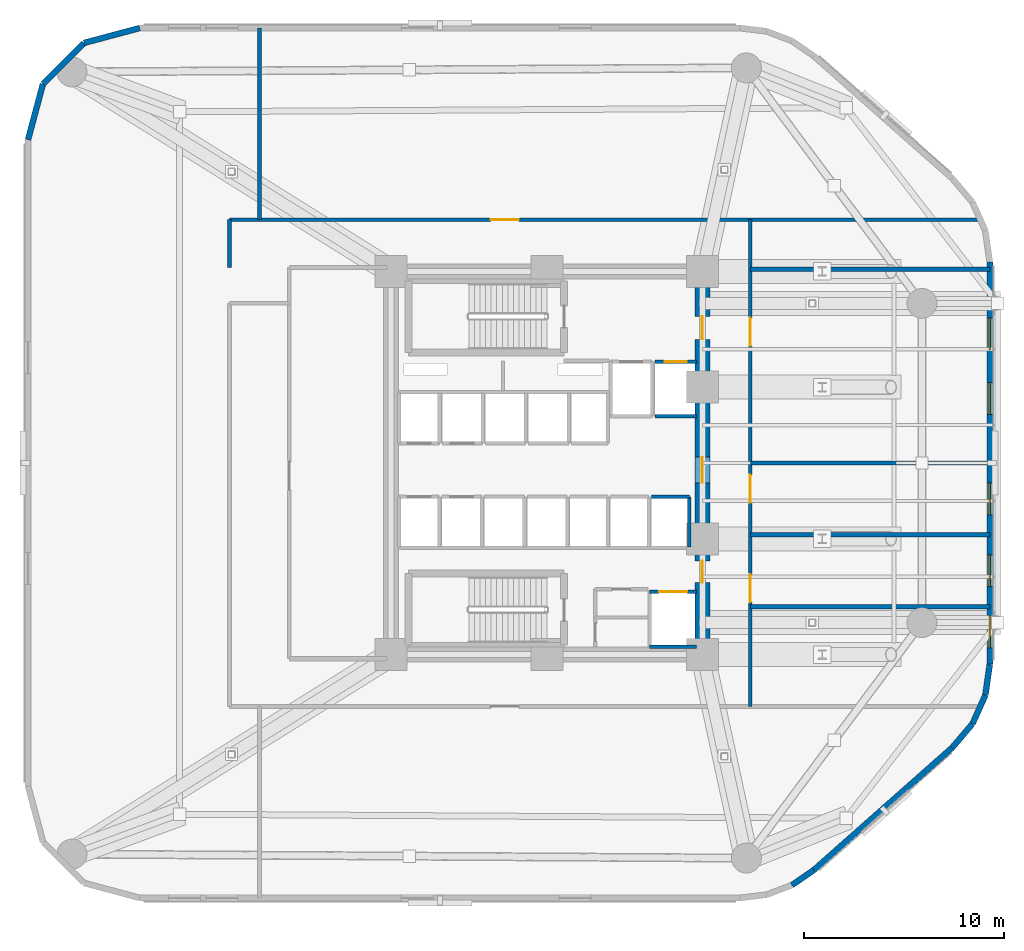
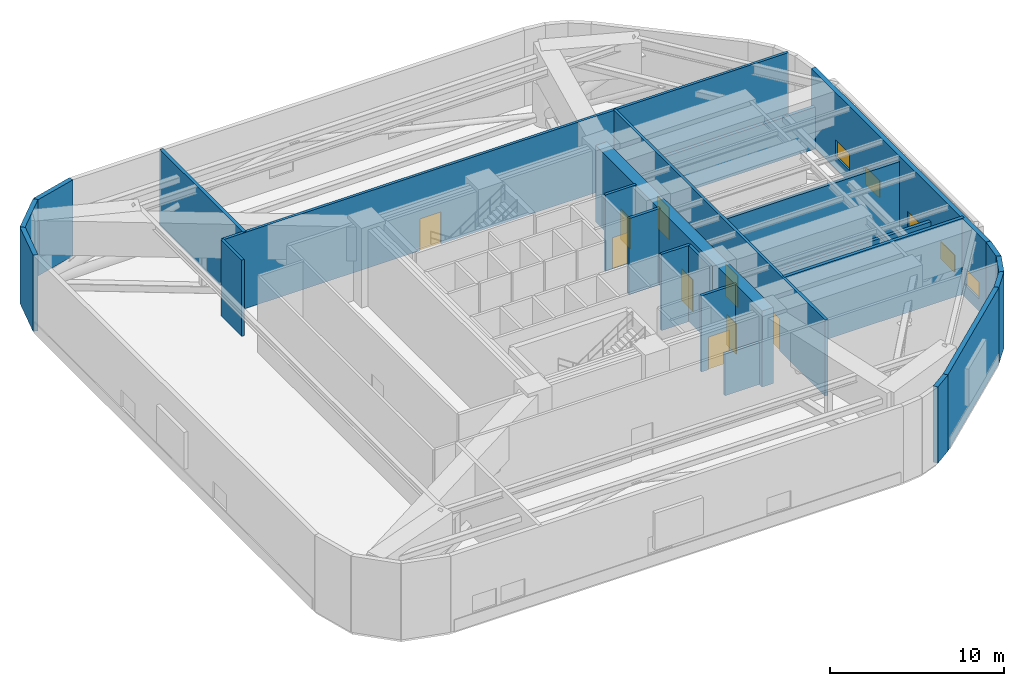
# One storey, part 8 of 11: 24 walls, 9 doors, 5 windows, 14 openings.
"""IFC4 building model written with IfcOpenShell, lengths in metres."""

from ifc_helpers import new_model, si_unit, direction, frame, frame_2d, origin, place, context, subcontext, project, spatial, rectangle, extrude, material, layer, layer_set, type_object, element, fill, save


model = new_model("IFC4")

# Units and contexts
model_context = context("Model", 3, precision=1e-05, world=origin(), true_north=direction((0.0, 1.0)))
body_context = subcontext(model_context, "Body", "Model", "MODEL_VIEW")
ifc_project = project(units=[si_unit("LENGTHUNIT", "METRE"), si_unit("AREAUNIT", "SQUARE_METRE"), si_unit("VOLUMEUNIT", "CUBIC_METRE"), si_unit("PLANEANGLEUNIT", "RADIAN"), si_unit("MASSUNIT", "GRAM", prefix="KILO")], contexts=[model_context])

# Site, building, storey
site_placement = place(None, origin())
site = spatial("IfcSite", under=ifc_project, at=site_placement, CompositionType="ELEMENT")
building_placement = place(site_placement, origin())
building = spatial("IfcBuilding", under=site, at=building_placement, Name="An Khanh Terracotta Commons", CompositionType="ELEMENT")
storey_placement = place(building_placement, frame((0.0, 0.0, 75.60009765625)))
storey = spatial("IfcBuildingStorey", under=building, at=storey_placement, Name="L20", CompositionType="ELEMENT", Elevation=75.60009765625)

# Wall, openings, doors
ifc_material_1 = material(Name="Concrete C70/85", Category="concrete")
ifc_layer_1 = layer(ifc_material_1, 0.75, Name="Concrete C70/85")
ifc_layer_set_1 = layer_set([ifc_layer_1], Name="Concrete C70/85")
wall_type_1 = type_object("IfcWallType", Name="WALL-CORE-750", PredefinedType="SHEAR", material=ifc_layer_set_1)
wall_1_placement = place(storey_placement, frame((37.199951171875, 14.39990234375, 0.0), z_axis=(0.0, 0.0, 1.0), x_axis=(0.0, 1.0, 0.0)))
wall_1 = element("IfcWall", 1, at=wall_1_placement, inside=storey, type_object=wall_type_1, Name="L20 Core Wall CWALL-L20-E", PredefinedType="SHEAR", context=body_context, shape_type="SweptSolid", body=[
    extrude(rectangle(XDim=19.2001953125, YDim=0.75, at=frame_2d((9.60009765625, 0.0))), origin(), (0.0, 0.0, 1.0), 5.35986328125),
])
opening_1_placement = place(wall_1_placement, frame((15.800048828125, 0.0, 0.0)))
opening_1 = element("IfcOpeningElement", 2, at=opening_1_placement, cuts=wall_1, Name="Opening D-FFL", PredefinedType="OPENING", context=body_context, shape_type="SweptSolid", body=[
    extrude(rectangle(XDim=1.14990234375, YDim=2.14990234375, at=frame_2d((0.574951171875, 1.074951171875))), frame((0.0, 0.385009765625, 0.0), z_axis=(0.0, -1.0, 0.0), x_axis=(1.0, 0.0, 0.0)), (0.0, 0.0, 1.0), 0.77001953125),
])
opening_2_placement = place(wall_1_placement, frame((3.60009765625, 0.0, 0.0)))
opening_2 = element("IfcOpeningElement", 3, at=opening_2_placement, cuts=wall_1, Name="Opening D-ST", PredefinedType="OPENING", context=body_context, shape_type="SweptSolid", body=[
    extrude(rectangle(XDim=1.10009765625, YDim=2.14990234375, at=frame_2d((0.550048828125, 1.074951171875))), frame((0.0, 0.385009765625, 0.0), z_axis=(0.0, -1.0, 0.0), x_axis=(1.0, 0.0, 0.0)), (0.0, 0.0, 1.0), 0.77001953125),
])
opening_3_placement = place(wall_1_placement, frame((8.60009765625, 0.0, 0.0)))
opening_3 = element("IfcOpeningElement", 4, at=opening_3_placement, cuts=wall_1, Name="Opening D-COR", PredefinedType="OPENING", context=body_context, shape_type="SweptSolid", body=[
    extrude(rectangle(XDim=1.300048828125, YDim=2.199951171875, at=frame_2d((0.64990234375, 1.10009765625))), frame((0.0, 0.385009765625, 0.0), z_axis=(0.0, -1.0, 0.0), x_axis=(1.0, 0.0, 0.0)), (0.0, 0.0, 1.0), 0.77001953125),
])
ifc_material_2 = material(Name="Fire-Rated Glazed Steel Double Door", Category="steel")
door_type_1 = type_object("IfcDoorType", Name="DOOR-CORR-1300", OperationType="NOTDEFINED", PredefinedType="DOOR", material=ifc_material_2)
door_1_placement = place(opening_3_placement, origin())
door_1 = element("IfcDoor", 5, at=door_1_placement, inside=storey, type_object=door_type_1, Name="L20 Passenger Lift Lobby Double Door", OperationType="DOUBLE_DOOR_SINGLE_SWING", OverallHeight=2.199951171875, OverallWidth=1.300048828125, PredefinedType="DOOR", context=body_context, shape_type="SweptSolid", body=[
    extrude(rectangle(XDim=1.300048828125, YDim=2.199951171875, at=frame_2d((0.64990234375, 1.10009765625))), frame((0.0, 0.02490234375, 0.0), z_axis=(0.0, -1.0, 0.0), x_axis=(1.0, 0.0, 0.0)), (0.0, 0.0, 1.0), 0.050048828125),
])
fill(opening_3, door_1)
ifc_material_3 = material(Name="Fire-Rated Steel Leaf and Vision Panel", Category="steel")
door_type_2 = type_object("IfcDoorType", Name="DOOR-FFL-1150", OperationType="NOTDEFINED", PredefinedType="DOOR", material=ifc_material_3)
door_2_placement = place(opening_1_placement, origin())
door_2 = element("IfcDoor", 6, at=door_2_placement, inside=storey, type_object=door_type_2, Name="L20 Firefighting Lift Lobby Fire Door", OperationType="SINGLE_SWING_LEFT", OverallHeight=2.14990234375, OverallWidth=1.14990234375, PredefinedType="DOOR", context=body_context, shape_type="SweptSolid", body=[
    extrude(rectangle(XDim=1.14990234375, YDim=2.14990234375, at=frame_2d((0.574951171875, 1.074951171875))), frame((0.0, 0.02490234375, 0.0), z_axis=(0.0, -1.0, 0.0), x_axis=(1.0, 0.0, 0.0)), (0.0, 0.0, 1.0), 0.050048828125),
])
fill(opening_1, door_2)
ifc_material_4 = material(Name="Fire-Rated Steel Leaf and Frame", Category="steel")
door_type_3 = type_object("IfcDoorType", Name="DOOR-STAIR-1100", OperationType="NOTDEFINED", PredefinedType="DOOR", material=ifc_material_4)
door_3_placement = place(opening_2_placement, origin())
door_3 = element("IfcDoor", 7, at=door_3_placement, inside=storey, type_object=door_type_3, Name="L20 South Stair Lobby Fire Door", OperationType="SINGLE_SWING_RIGHT", OverallHeight=2.14990234375, OverallWidth=1.10009765625, PredefinedType="DOOR", context=body_context, shape_type="SweptSolid", body=[
    extrude(rectangle(XDim=1.10009765625, YDim=2.14990234375, at=frame_2d((0.550048828125, 1.074951171875))), frame((0.0, 0.02490234375, 0.0), z_axis=(0.0, -1.0, 0.0), x_axis=(1.0, 0.0, 0.0)), (0.0, 0.0, 1.0), 0.050048828125),
])
fill(opening_2, door_3)

# Wall, opening, door
ifc_material_5 = material(Name="Fire-Rated Gypsum Board on Steel Stud", Category="steel")
ifc_layer_2 = layer(ifc_material_5, 0.179931640625, Name="Fire-Rated Gypsum Board on Steel Stud")
ifc_layer_set_2 = layer_set([ifc_layer_2], Name="Fire-Rated Gypsum Board on Steel Stud")
wall_type_2 = type_object("IfcWallType", Name="WALL-CORR-180", PredefinedType="PARTITIONING", material=ifc_layer_set_2)
wall_2_placement = place(storey_placement, frame((34.820068359375, 29.080078125, 0.0), z_axis=(0.0, 0.0, 1.0), x_axis=(1.0, 0.0, 0.0)))
wall_2 = element("IfcWall", 8, at=wall_2_placement, inside=storey, type_object=wall_type_2, Name="L20 Core Wall LSH-L20-FFL-02-N", PredefinedType="PARTITIONING", context=body_context, shape_type="SweptSolid", body=[
    extrude(rectangle(XDim=2.079833984375, YDim=0.179931640625, at=frame_2d((1.0400390625, 0.0))), origin(), (0.0, 0.0, 1.0), 5.35986328125),
])
opening_4_placement = place(wall_2_placement, frame((0.489990234375, 0.0, 0.0)))
opening_4 = element("IfcOpeningElement", 9, at=opening_4_placement, cuts=wall_2, Name="Opening LD-FFL-02-L20", PredefinedType="OPENING", context=body_context, shape_type="SweptSolid", body=[
    extrude(rectangle(XDim=1.10009765625, YDim=2.199951171875, at=frame_2d((0.550048828125, 1.10009765625))), frame((0.0, 0.099853515625, 0.0), z_axis=(0.0, -1.0, 0.0), x_axis=(1.0, 0.0, 0.0)), (0.0, 0.0, 1.0), 0.199951171875),
])
ifc_material_6 = material(Name="Brushed Stainless Steel Fire Landing Door", Category="steel")
door_type_4 = type_object("IfcDoorType", Name="DOOR-LD-FFL-1100", OperationType="NOTDEFINED", PredefinedType="DOOR", material=ifc_material_6)
door_4_placement = place(opening_4_placement, origin())
door_4 = element("IfcDoor", 10, at=door_4_placement, inside=storey, type_object=door_type_4, Name="L20 Lift FFL-02 Sliding Landing Door", OperationType="DOUBLE_DOOR_SLIDING", OverallHeight=2.199951171875, OverallWidth=1.10009765625, PredefinedType="DOOR", context=body_context, shape_type="SweptSolid", body=[
    extrude(rectangle(XDim=1.10009765625, YDim=2.199951171875, at=frame_2d((0.550048828125, 1.10009765625))), frame((0.0, 0.02490234375, 0.0), z_axis=(0.0, -1.0, 0.0), x_axis=(1.0, 0.0, 0.0)), (0.0, 0.0, 1.0), 0.050048828125),
])
fill(opening_4, door_4)

# Wall
wall_3_placement = place(storey_placement, frame((36.89990234375, 26.35009765625, 0.0), z_axis=(0.0, 0.0, 1.0), x_axis=(-1.0, 0.0, 0.0)))
element("IfcWall", 11, at=wall_3_placement, inside=storey, type_object=wall_type_2, Name="L20 Core Wall LSH-L20-FFL-02-S", PredefinedType="PARTITIONING", context=body_context, shape_type="SweptSolid", body=[
    extrude(rectangle(XDim=2.079833984375, YDim=0.179931640625, at=frame_2d((1.0400390625, 0.0))), origin(), (0.0, 0.0, 1.0), 5.35986328125),
])

# Wall, opening, door
wall_4_placement = place(storey_placement, frame((34.550048828125, 17.550048828125, 0.0), z_axis=(0.0, 0.0, 1.0), x_axis=(1.0, 0.0, 0.0)))
wall_4 = element("IfcWall", 12, at=wall_4_placement, inside=storey, type_object=wall_type_2, Name="L20 Core Wall LSH-L20-SVL-01-N", PredefinedType="PARTITIONING", context=body_context, shape_type="SweptSolid", body=[
    extrude(rectangle(XDim=2.349853515625, YDim=0.179931640625, at=frame_2d((1.1748046875, 0.0))), origin(), (0.0, 0.0, 1.0), 5.35986328125),
])
opening_5_placement = place(wall_4_placement, frame((0.47509765625, 0.0, 0.0)))
opening_5 = element("IfcOpeningElement", 13, at=opening_5_placement, cuts=wall_4, Name="Opening LD-SVL-01-L20", PredefinedType="OPENING", context=body_context, shape_type="SweptSolid", body=[
    extrude(rectangle(XDim=1.39990234375, YDim=2.300048828125, at=frame_2d((0.699951171875, 1.14990234375))), frame((0.0, 0.099853515625, 0.0), z_axis=(0.0, -1.0, 0.0), x_axis=(1.0, 0.0, 0.0)), (0.0, 0.0, 1.0), 0.199951171875),
])
ifc_material_7 = material(Name="Heavy-Duty Stainless Steel Goods Landing Door", Category="steel")
door_type_5 = type_object("IfcDoorType", Name="DOOR-LD-SVL-1400", OperationType="NOTDEFINED", PredefinedType="DOOR", material=ifc_material_7)
door_5_placement = place(opening_5_placement, origin())
door_5 = element("IfcDoor", 14, at=door_5_placement, inside=storey, type_object=door_type_5, Name="L20 Lift SVL-01 Sliding Landing Door", OperationType="DOUBLE_DOOR_SLIDING", OverallHeight=2.300048828125, OverallWidth=1.39990234375, PredefinedType="DOOR", context=body_context, shape_type="SweptSolid", body=[
    extrude(rectangle(XDim=1.39990234375, YDim=2.300048828125, at=frame_2d((0.699951171875, 1.14990234375))), frame((0.0, 0.02490234375, 0.0), z_axis=(0.0, -1.0, 0.0), x_axis=(1.0, 0.0, 0.0)), (0.0, 0.0, 1.0), 0.050048828125),
])
fill(opening_5, door_5)

# Walls
wall_5_placement = place(storey_placement, frame((36.89990234375, 14.800048828125, 0.0), z_axis=(0.0, 0.0, 1.0), x_axis=(-1.0, 0.0, 0.0)))
element("IfcWall", 15, at=wall_5_placement, inside=storey, type_object=wall_type_2, Name="L20 Core Wall LSH-L20-SVL-01-S", PredefinedType="PARTITIONING", context=body_context, shape_type="SweptSolid", body=[
    extrude(rectangle(XDim=2.349853515625, YDim=0.179931640625, at=frame_2d((1.1748046875, 0.0))), origin(), (0.0, 0.0, 1.0), 2.94189453125),
])
wall_6_placement = place(storey_placement, frame((34.639892578125, 22.300048828125, 0.0), z_axis=(0.0, 0.0, 1.0), x_axis=(1.0, 0.0, 0.0)))
element("IfcWall", 16, at=wall_6_placement, inside=storey, type_object=wall_type_2, Name="L20 Core Wall LSH-L20-PL-H4-N", PredefinedType="PARTITIONING", context=body_context, shape_type="SweptSolid", body=[
    extrude(rectangle(XDim=1.900146484375, YDim=0.179931640625, at=frame_2d((0.9501953125, 0.0))), origin(), (0.0, 0.0, 1.0), 5.35986328125),
])
wall_7_placement = place(storey_placement, frame((36.5400390625, 19.800048828125, 0.0), z_axis=(0.0, 0.0, 1.0), x_axis=(0.0, 1.0, 0.0)))
element("IfcWall", 17, at=wall_7_placement, inside=storey, type_object=wall_type_2, Name="L20 Core Wall LSH-L20-PL-H4-E", PredefinedType="PARTITIONING", context=body_context, shape_type="SweptSolid", body=[
    extrude(rectangle(XDim=2.5, YDim=0.179931640625, at=frame_2d((1.25, 0.0))), origin(), (0.0, 0.0, 1.0), 5.35986328125),
])

# Wall, opening, door
wall_8_placement = place(storey_placement, frame((13.5, 36.199951171875, 0.0), z_axis=(0.0, 0.0, 1.0), x_axis=(1.0, 0.0, 0.0)))
wall_8 = element("IfcWall", 18, at=wall_8_placement, inside=storey, type_object=wall_type_2, Name="L20 Interior Partition IW-L20-E009", PredefinedType="PARTITIONING", context=body_context, shape_type="SweptSolid", body=[
    extrude(rectangle(XDim=37.625, YDim=0.179931640625, at=frame_2d((18.8125, 0.0))), origin(), (0.0, 0.0, 1.0), 5.35986328125),
])
opening_6_placement = place(wall_8_placement, frame((13.10009765625, 0.0, 0.0)))
opening_6 = element("IfcOpeningElement", 19, at=opening_6_placement, cuts=wall_8, Name="Opening D-PL", PredefinedType="OPENING", context=body_context, shape_type="SweptSolid", body=[
    extrude(rectangle(XDim=1.39990234375, YDim=2.25, at=frame_2d((0.699951171875, 1.125))), frame((0.0, 0.099853515625, 0.0), z_axis=(0.0, -1.0, 0.0), x_axis=(1.0, 0.0, 0.0)), (0.0, 0.0, 1.0), 0.199951171875),
])
ifc_material_8 = material(Name="Heavy-Duty Acoustic Steel Double Plant Door", Category="steel")
door_type_6 = type_object("IfcDoorType", Name="DOOR-PLANT-1400", OperationType="NOTDEFINED", PredefinedType="DOOR", material=ifc_material_8)
door_6_placement = place(opening_6_placement, origin())
door_6 = element("IfcDoor", 20, at=door_6_placement, inside=storey, type_object=door_type_6, Name="L20 REFN North Pressurised Refuge Area Door", OperationType="DOUBLE_DOOR_SINGLE_SWING", OverallHeight=2.25, OverallWidth=1.39990234375, PredefinedType="DOOR", context=body_context, shape_type="SweptSolid", body=[
    extrude(rectangle(XDim=1.39990234375, YDim=2.25, at=frame_2d((0.699951171875, 1.125))), frame((0.0, 0.02490234375, 0.0), z_axis=(0.0, -1.0, 0.0), x_axis=(1.0, 0.0, 0.0)), (0.0, 0.0, 1.0), 0.050048828125),
])
fill(opening_6, door_6)

# Wall
wall_9_placement = place(storey_placement, frame((13.5, 33.800048828125, 0.0), z_axis=(0.0, 0.0, 1.0), x_axis=(0.0, 1.0, 0.0)))
element("IfcWall", 21, at=wall_9_placement, inside=storey, type_object=wall_type_2, Name="L20 Interior Partition IW-L20-E011", PredefinedType="PARTITIONING", context=body_context, shape_type="SweptSolid", body=[
    extrude(rectangle(XDim=2.39990234375, YDim=0.179931640625, at=frame_2d((1.199951171875, 0.0))), origin(), (0.0, 0.0, 1.0), 5.35986328125),
])

# Wall, openings, doors
wall_10_placement = place(storey_placement, frame((39.60009765625, 11.800048828125, 0.0), z_axis=(0.0, 0.0, 1.0), x_axis=(0.0, 1.0, 0.0)))
wall_10 = element("IfcWall", 22, at=wall_10_placement, inside=storey, type_object=wall_type_2, Name="L20 Interior Partition IW-L20-E015", PredefinedType="PARTITIONING", context=body_context, shape_type="SweptSolid", body=[
    extrude(rectangle(XDim=24.39990234375, YDim=0.179931640625, at=frame_2d((12.199951171875, 0.0))), origin(), (0.0, 0.0, 1.0), 5.35986328125),
])
opening_7_placement = place(wall_10_placement, frame((18.070068359375, 0.0, 0.0)))
opening_7 = element("IfcOpeningElement", 23, at=opening_7_placement, cuts=wall_10, Name="Opening D-PL", PredefinedType="OPENING", context=body_context, shape_type="SweptSolid", body=[
    extrude(rectangle(XDim=1.39990234375, YDim=2.25, at=frame_2d((0.699951171875, 1.125))), frame((0.0, 0.099853515625, 0.0), z_axis=(0.0, -1.0, 0.0), x_axis=(1.0, 0.0, 0.0)), (0.0, 0.0, 1.0), 0.199951171875),
])
opening_8_placement = place(wall_10_placement, frame((5.22509765625, 0.0, 0.0)))
opening_8 = element("IfcOpeningElement", 24, at=opening_8_placement, cuts=wall_10, Name="Opening D-PL", PredefinedType="OPENING", context=body_context, shape_type="SweptSolid", body=[
    extrude(rectangle(XDim=1.39990234375, YDim=2.25, at=frame_2d((0.699951171875, 1.125))), frame((0.0, 0.099853515625, 0.0), z_axis=(0.0, -1.0, 0.0), x_axis=(1.0, 0.0, 0.0)), (0.0, 0.0, 1.0), 0.199951171875),
])
opening_9_placement = place(wall_10_placement, frame((10.199951171875, 0.0, 0.0)))
opening_9 = element("IfcOpeningElement", 25, at=opening_9_placement, cuts=wall_10, Name="Opening D-PL", PredefinedType="OPENING", context=body_context, shape_type="SweptSolid", body=[
    extrude(rectangle(XDim=1.39990234375, YDim=2.25, at=frame_2d((0.699951171875, 1.125))), frame((0.0, 0.099853515625, 0.0), z_axis=(0.0, -1.0, 0.0), x_axis=(1.0, 0.0, 0.0)), (0.0, 0.0, 1.0), 0.199951171875),
])
door_7_placement = place(opening_7_placement, origin())
door_7 = element("IfcDoor", 26, at=door_7_placement, inside=storey, type_object=door_type_6, Name="L20 AHU Supply Ventilation AHU Plant Room Door", OperationType="DOUBLE_DOOR_SINGLE_SWING", OverallHeight=2.25, OverallWidth=1.39990234375, PredefinedType="DOOR", context=body_context, shape_type="SweptSolid", body=[
    extrude(rectangle(XDim=1.39990234375, YDim=2.25, at=frame_2d((0.699951171875, 1.125))), frame((0.0, 0.02490234375, 0.0), z_axis=(0.0, -1.0, 0.0), x_axis=(1.0, 0.0, 0.0)), (0.0, 0.0, 1.0), 0.050048828125),
])
fill(opening_7, door_7)
door_8_placement = place(opening_8_placement, origin())
door_8 = element("IfcDoor", 27, at=door_8_placement, inside=storey, type_object=door_type_6, Name="L20 CHX Chilled-Water Chiller and Pump Plant Room Door", OperationType="DOUBLE_DOOR_SINGLE_SWING", OverallHeight=2.25, OverallWidth=1.39990234375, PredefinedType="DOOR", context=body_context, shape_type="SweptSolid", body=[
    extrude(rectangle(XDim=1.39990234375, YDim=2.25, at=frame_2d((0.699951171875, 1.125))), frame((0.0, 0.02490234375, 0.0), z_axis=(0.0, -1.0, 0.0), x_axis=(1.0, 0.0, 0.0)), (0.0, 0.0, 1.0), 0.050048828125),
])
fill(opening_8, door_8)
door_9_placement = place(opening_9_placement, origin())
door_9 = element("IfcDoor", 28, at=door_9_placement, inside=storey, type_object=door_type_6, Name="L20 ELP Zone Electrical Switchroom Door", OperationType="DOUBLE_DOOR_SINGLE_SWING", OverallHeight=2.25, OverallWidth=1.39990234375, PredefinedType="DOOR", context=body_context, shape_type="SweptSolid", body=[
    extrude(rectangle(XDim=1.39990234375, YDim=2.25, at=frame_2d((0.699951171875, 1.125))), frame((0.0, 0.02490234375, 0.0), z_axis=(0.0, -1.0, 0.0), x_axis=(1.0, 0.0, 0.0)), (0.0, 0.0, 1.0), 0.050048828125),
])
fill(opening_9, door_9)

# Walls
ifc_material_9 = material(Name="Precast concrete C40/50", Category="concrete")
ifc_layer_3 = layer(ifc_material_9, 0.300048828125, Name="Precast concrete C40/50")
ifc_layer_set_3 = layer_set([ifc_layer_3], Name="Precast concrete C40/50")
wall_type_3 = type_object("IfcWallType", Name="WALL-EXT-300", PredefinedType="SOLIDWALL", material=ifc_layer_set_3)
wall_11_placement = place(storey_placement, frame((41.678955078125, 2.840087890625, 0.0), z_axis=(0.0, 0.0, 1.0), x_axis=(0.823116500192, 0.567872544777, 0.0)))
element("IfcWall", 29, at=wall_11_placement, inside=storey, type_object=wall_type_3, Name="L20 Insulated Terracotta Exterior Wall 7", PredefinedType="SOLIDWALL", context=body_context, shape_type="SweptSolid", body=[
    extrude(rectangle(XDim=1.3486328125, YDim=0.300048828125, at=frame_2d((0.67431640625, 0.0))), origin(), (0.0, 0.0, 1.0), 5.35986328125),
])
wall_12_placement = place(storey_placement, frame((42.7890625, 3.60595703125, 0.0), z_axis=(0.0, 0.0, 1.0), x_axis=(0.749010683286, 0.662557919221, 0.0)))
element("IfcWall", 30, at=wall_12_placement, inside=storey, type_object=wall_type_3, Name="L20 Insulated Terracotta Exterior Wall 8", PredefinedType="SOLIDWALL", context=body_context, shape_type="SweptSolid", body=[
    extrude(rectangle(XDim=9.239990234375, YDim=0.300048828125, at=frame_2d((4.6201171875, 0.0))), origin(), (0.0, 0.0, 1.0), 5.35986328125),
])
wall_13_placement = place(storey_placement, frame((49.7099609375, 9.72802734375, 0.0), z_axis=(0.0, 0.0, 1.0), x_axis=(0.648389989909, 0.7613083613, 0.0)))
element("IfcWall", 31, at=wall_13_placement, inside=storey, type_object=wall_type_3, Name="L20 Insulated Terracotta Exterior Wall 9", PredefinedType="SOLIDWALL", context=body_context, shape_type="SweptSolid", body=[
    extrude(rectangle(XDim=1.576171875, YDim=0.300048828125, at=frame_2d((0.7880859375, 0.0))), origin(), (0.0, 0.0, 1.0), 5.35986328125),
])
wall_14_placement = place(storey_placement, frame((50.73193359375, 10.927978515625, 0.0), z_axis=(0.0, 0.0, 1.0), x_axis=(0.410996558744, 0.911636895206, 0.0)))
element("IfcWall", 32, at=wall_14_placement, inside=storey, type_object=wall_type_3, Name="L20 Insulated Terracotta Exterior Wall 10", PredefinedType="SOLIDWALL", context=body_context, shape_type="SweptSolid", body=[
    extrude(rectangle(XDim=1.57421875, YDim=0.300048828125, at=frame_2d((0.787109375, 0.0))), origin(), (0.0, 0.0, 1.0), 5.35986328125),
])
wall_15_placement = place(storey_placement, frame((51.37890625, 12.363037109375, 0.0), z_axis=(0.0, 0.0, 1.0), x_axis=(0.140380048512, 0.990097693149, 0.0)))
element("IfcWall", 33, at=wall_15_placement, inside=storey, type_object=wall_type_3, Name="L20 Insulated Terracotta Exterior Wall 11", PredefinedType="SOLIDWALL", context=body_context, shape_type="SweptSolid", body=[
    extrude(rectangle(XDim=1.57568359375, YDim=0.300048828125, at=frame_2d((0.787841796875, 0.0))), origin(), (0.0, 0.0, 1.0), 5.35986328125),
])

# Wall, openings, windows
wall_16_placement = place(storey_placement, frame((51.60009765625, 13.923095703125, 0.0), z_axis=(0.0, 0.0, 1.0), x_axis=(0.0, 1.0, 0.0)))
wall_16 = element("IfcWall", 34, at=wall_16_placement, inside=storey, type_object=wall_type_3, Name="L20 Insulated Terracotta Exterior Wall 12", PredefinedType="SOLIDWALL", context=body_context, shape_type="SweptSolid", body=[
    extrude(rectangle(XDim=20.15380859375, YDim=0.300048828125, at=frame_2d((10.076904296875, 0.0))), origin(), (0.0, 0.0, 1.0), 5.35986328125),
])
opening_10_placement = place(wall_16_placement, frame((0.81396484375, 0.0, 0.85009765625)))
opening_10 = element("IfcOpeningElement", 35, at=opening_10_placement, cuts=wall_16, Name="Opening W-12", PredefinedType="OPENING", context=body_context, shape_type="SweptSolid", body=[
    extrude(rectangle(XDim=1.60009765625, YDim=1.199951171875, at=frame_2d((0.800048828125, 0.60009765625))), frame((0.0, 0.159912109375, 0.0), z_axis=(0.0, -1.0, 0.0), x_axis=(1.0, 0.0, 0.0)), (0.0, 0.0, 1.0), 0.320068359375),
])
opening_11_placement = place(wall_16_placement, frame((3.876953125, 0.0, 0.85009765625)))
opening_11 = element("IfcOpeningElement", 36, at=opening_11_placement, cuts=wall_16, Name="Opening W-12", PredefinedType="OPENING", context=body_context, shape_type="SweptSolid", body=[
    extrude(rectangle(XDim=1.60009765625, YDim=1.199951171875, at=frame_2d((0.800048828125, 0.60009765625))), frame((0.0, 0.159912109375, 0.0), z_axis=(0.0, -1.0, 0.0), x_axis=(1.0, 0.0, 0.0)), (0.0, 0.0, 1.0), 0.320068359375),
])
opening_12_placement = place(wall_16_placement, frame((7.47705078125, 0.0, 0.85009765625)))
opening_12 = element("IfcOpeningElement", 37, at=opening_12_placement, cuts=wall_16, Name="Opening W-12", PredefinedType="OPENING", context=body_context, shape_type="SweptSolid", body=[
    extrude(rectangle(XDim=1.60009765625, YDim=1.199951171875, at=frame_2d((0.800048828125, 0.60009765625))), frame((0.0, 0.159912109375, 0.0), z_axis=(0.0, -1.0, 0.0), x_axis=(1.0, 0.0, 0.0)), (0.0, 0.0, 1.0), 0.320068359375),
])
opening_13_placement = place(wall_16_placement, frame((12.510009765625, 0.0, 0.85009765625)))
opening_13 = element("IfcOpeningElement", 38, at=opening_13_placement, cuts=wall_16, Name="Opening W-12", PredefinedType="OPENING", context=body_context, shape_type="SweptSolid", body=[
    extrude(rectangle(XDim=1.60009765625, YDim=1.199951171875, at=frame_2d((0.800048828125, 0.60009765625))), frame((0.0, 0.159912109375, 0.0), z_axis=(0.0, -1.0, 0.0), x_axis=(1.0, 0.0, 0.0)), (0.0, 0.0, 1.0), 0.320068359375),
])
opening_14_placement = place(wall_16_placement, frame((15.743896484375, 0.0, 0.85009765625)))
opening_14 = element("IfcOpeningElement", 39, at=opening_14_placement, cuts=wall_16, Name="Opening W-12", PredefinedType="OPENING", context=body_context, shape_type="SweptSolid", body=[
    extrude(rectangle(XDim=1.60009765625, YDim=1.199951171875, at=frame_2d((0.800048828125, 0.60009765625))), frame((0.0, 0.159912109375, 0.0), z_axis=(0.0, -1.0, 0.0), x_axis=(1.0, 0.0, 0.0)), (0.0, 0.0, 1.0), 0.320068359375),
])
ifc_material_10 = material(Name="Thermally Broken Aluminium and Low-E Glass", Category="aluminium")
window_type = type_object("IfcWindowType", Name="WIN-REF-1600x1200", PartitioningType="DOUBLE_PANEL_VERTICAL", PredefinedType="WINDOW", material=ifc_material_10)
window_1_placement = place(opening_10_placement, origin())
window_1 = element("IfcWindow", 40, at=window_1_placement, inside=storey, type_object=window_type, Name="L20 Operable Casement Window 12.1", OverallHeight=1.199951171875, OverallWidth=1.60009765625, PartitioningType="DOUBLE_PANEL_VERTICAL", PredefinedType="WINDOW", context=body_context, shape_type="SweptSolid", body=[
    extrude(rectangle(XDim=1.60009765625, YDim=1.199951171875, at=frame_2d((0.800048828125, 0.60009765625))), frame((0.0, 0.030029296875, 0.0), z_axis=(0.0, -1.0, 0.0), x_axis=(1.0, 0.0, 0.0)), (0.0, 0.0, 1.0), 0.06005859375),
])
fill(opening_10, window_1)
window_2_placement = place(opening_11_placement, origin())
window_2 = element("IfcWindow", 41, at=window_2_placement, inside=storey, type_object=window_type, Name="L20 Operable Casement Window 12.2", OverallHeight=1.199951171875, OverallWidth=1.60009765625, PartitioningType="DOUBLE_PANEL_VERTICAL", PredefinedType="WINDOW", context=body_context, shape_type="SweptSolid", body=[
    extrude(rectangle(XDim=1.60009765625, YDim=1.199951171875, at=frame_2d((0.800048828125, 0.60009765625))), frame((0.0, 0.030029296875, 0.0), z_axis=(0.0, -1.0, 0.0), x_axis=(1.0, 0.0, 0.0)), (0.0, 0.0, 1.0), 0.06005859375),
])
fill(opening_11, window_2)
window_3_placement = place(opening_12_placement, origin())
window_3 = element("IfcWindow", 42, at=window_3_placement, inside=storey, type_object=window_type, Name="L20 Operable Casement Window 12.3", OverallHeight=1.199951171875, OverallWidth=1.60009765625, PartitioningType="DOUBLE_PANEL_VERTICAL", PredefinedType="WINDOW", context=body_context, shape_type="SweptSolid", body=[
    extrude(rectangle(XDim=1.60009765625, YDim=1.199951171875, at=frame_2d((0.800048828125, 0.60009765625))), frame((0.0, 0.030029296875, 0.0), z_axis=(0.0, -1.0, 0.0), x_axis=(1.0, 0.0, 0.0)), (0.0, 0.0, 1.0), 0.06005859375),
])
fill(opening_12, window_3)
window_4_placement = place(opening_13_placement, origin())
window_4 = element("IfcWindow", 43, at=window_4_placement, inside=storey, type_object=window_type, Name="L20 Operable Casement Window 12.4", OverallHeight=1.199951171875, OverallWidth=1.60009765625, PartitioningType="DOUBLE_PANEL_VERTICAL", PredefinedType="WINDOW", context=body_context, shape_type="SweptSolid", body=[
    extrude(rectangle(XDim=1.60009765625, YDim=1.199951171875, at=frame_2d((0.800048828125, 0.60009765625))), frame((0.0, 0.030029296875, 0.0), z_axis=(0.0, -1.0, 0.0), x_axis=(1.0, 0.0, 0.0)), (0.0, 0.0, 1.0), 0.06005859375),
])
fill(opening_13, window_4)
window_5_placement = place(opening_14_placement, origin())
window_5 = element("IfcWindow", 44, at=window_5_placement, inside=storey, type_object=window_type, Name="L20 Operable Casement Window 12.5", OverallHeight=1.199951171875, OverallWidth=1.60009765625, PartitioningType="DOUBLE_PANEL_VERTICAL", PredefinedType="WINDOW", context=body_context, shape_type="SweptSolid", body=[
    extrude(rectangle(XDim=1.60009765625, YDim=1.199951171875, at=frame_2d((0.800048828125, 0.60009765625))), frame((0.0, 0.030029296875, 0.0), z_axis=(0.0, -1.0, 0.0), x_axis=(1.0, 0.0, 0.0)), (0.0, 0.0, 1.0), 0.06005859375),
])
fill(opening_14, window_5)

# Walls
wall_17_placement = place(storey_placement, frame((9.0, 45.800048828125, 0.0), z_axis=(0.0, 0.0, 1.0), x_axis=(-0.96594917914, -0.258731875344, 0.0)))
element("IfcWall", 45, at=wall_17_placement, inside=storey, type_object=wall_type_3, Name="L20 Insulated Terracotta Exterior Wall 21", PredefinedType="SOLIDWALL", context=body_context, shape_type="SweptSolid", body=[
    extrude(rectangle(XDim=2.898681640625, YDim=0.300048828125, at=frame_2d((1.44921875, 0.0))), origin(), (0.0, 0.0, 1.0), 5.35986328125),
])
wall_18_placement = place(storey_placement, frame((6.199951171875, 45.050048828125, 0.0), z_axis=(0.0, 0.0, 1.0), x_axis=(-0.707106781187, -0.707106781187, 0.0)))
element("IfcWall", 46, at=wall_18_placement, inside=storey, type_object=wall_type_3, Name="L20 Insulated Terracotta Exterior Wall 22", PredefinedType="SOLIDWALL", context=body_context, shape_type="SweptSolid", body=[
    extrude(rectangle(XDim=2.899169921875, YDim=0.300048828125, at=frame_2d((1.44970703125, 0.0))), origin(), (0.0, 0.0, 1.0), 5.35986328125),
])
wall_19_placement = place(storey_placement, frame((4.14990234375, 43.0, 0.0), z_axis=(0.0, 0.0, 1.0), x_axis=(-0.258731875344, -0.96594917914, 0.0)))
element("IfcWall", 47, at=wall_19_placement, inside=storey, type_object=wall_type_3, Name="L20 Insulated Terracotta Exterior Wall 23", PredefinedType="SOLIDWALL", context=body_context, shape_type="SweptSolid", body=[
    extrude(rectangle(XDim=2.898681640625, YDim=0.300048828125, at=frame_2d((1.44921875, 0.0))), origin(), (0.0, 0.0, 1.0), 5.35986328125),
])
ifc_material_11 = material(Name="Acoustic Double-Stud Gypsum and Mineral Wool")
ifc_layer_4 = layer(ifc_material_11, 0.219970703125, Name="Acoustic Double-Stud Gypsum and Mineral Wool")
ifc_layer_set_4 = layer_set([ifc_layer_4], Name="Acoustic Double-Stud Gypsum and Mineral Wool")
wall_type_4 = type_object("IfcWallType", Name="WALL-PARTY-220", PredefinedType="PARTITIONING", material=ifc_layer_set_4)
wall_20_placement = place(storey_placement, frame((39.60009765625, 16.800048828125, 0.0), z_axis=(0.0, 0.0, 1.0), x_axis=(1.0, 0.0, 0.0)))
element("IfcWall", 48, at=wall_20_placement, inside=storey, type_object=wall_type_4, Name="L20 Interior Partition IW-L20-E003", PredefinedType="PARTITIONING", context=body_context, shape_type="SweptSolid", body=[
    extrude(rectangle(XDim=12.0, YDim=0.219970703125, at=frame_2d((6.0, 0.0))), origin(), (0.0, 0.0, 1.0), 5.35986328125),
])
wall_21_placement = place(storey_placement, frame((39.60009765625, 20.39990234375, 0.0), z_axis=(0.0, 0.0, 1.0), x_axis=(1.0, 0.0, 0.0)))
element("IfcWall", 49, at=wall_21_placement, inside=storey, type_object=wall_type_4, Name="L20 Interior Partition IW-L20-E004", PredefinedType="PARTITIONING", context=body_context, shape_type="SweptSolid", body=[
    extrude(rectangle(XDim=12.0, YDim=0.219970703125, at=frame_2d((6.0, 0.0))), origin(), (0.0, 0.0, 1.0), 2.94189453125),
])
wall_22_placement = place(storey_placement, frame((39.60009765625, 24.0, 0.0), z_axis=(0.0, 0.0, 1.0), x_axis=(1.0, 0.0, 0.0)))
element("IfcWall", 50, at=wall_22_placement, inside=storey, type_object=wall_type_4, Name="L20 Interior Partition IW-L20-E005", PredefinedType="PARTITIONING", context=body_context, shape_type="SweptSolid", body=[
    extrude(rectangle(XDim=12.0, YDim=0.219970703125, at=frame_2d((6.0, 0.0))), origin(), (0.0, 0.0, 1.0), 4.98193359375),
])
wall_23_placement = place(storey_placement, frame((39.60009765625, 33.699951171875, 0.0), z_axis=(0.0, 0.0, 1.0), x_axis=(1.0, 0.0, 0.0)))
element("IfcWall", 51, at=wall_23_placement, inside=storey, type_object=wall_type_4, Name="L20 Interior Partition IW-L20-E007", PredefinedType="PARTITIONING", context=body_context, shape_type="SweptSolid", body=[
    extrude(rectangle(XDim=12.0, YDim=0.219970703125, at=frame_2d((6.0, 0.0))), origin(), (0.0, 0.0, 1.0), 2.94189453125),
])
wall_24_placement = place(storey_placement, frame((15.0, 36.199951171875, 0.0), z_axis=(0.0, 0.0, 1.0), x_axis=(0.0, 1.0, 0.0)))
element("IfcWall", 52, at=wall_24_placement, inside=storey, type_object=wall_type_4, Name="L20 Interior Partition IW-L20-E013", PredefinedType="PARTITIONING", context=body_context, shape_type="SweptSolid", body=[
    extrude(rectangle(XDim=9.60009765625, YDim=0.219970703125, at=frame_2d((4.800048828125, 0.0))), origin(), (0.0, 0.0, 1.0), 5.35986328125),
])

save(model, "model.ifc")
